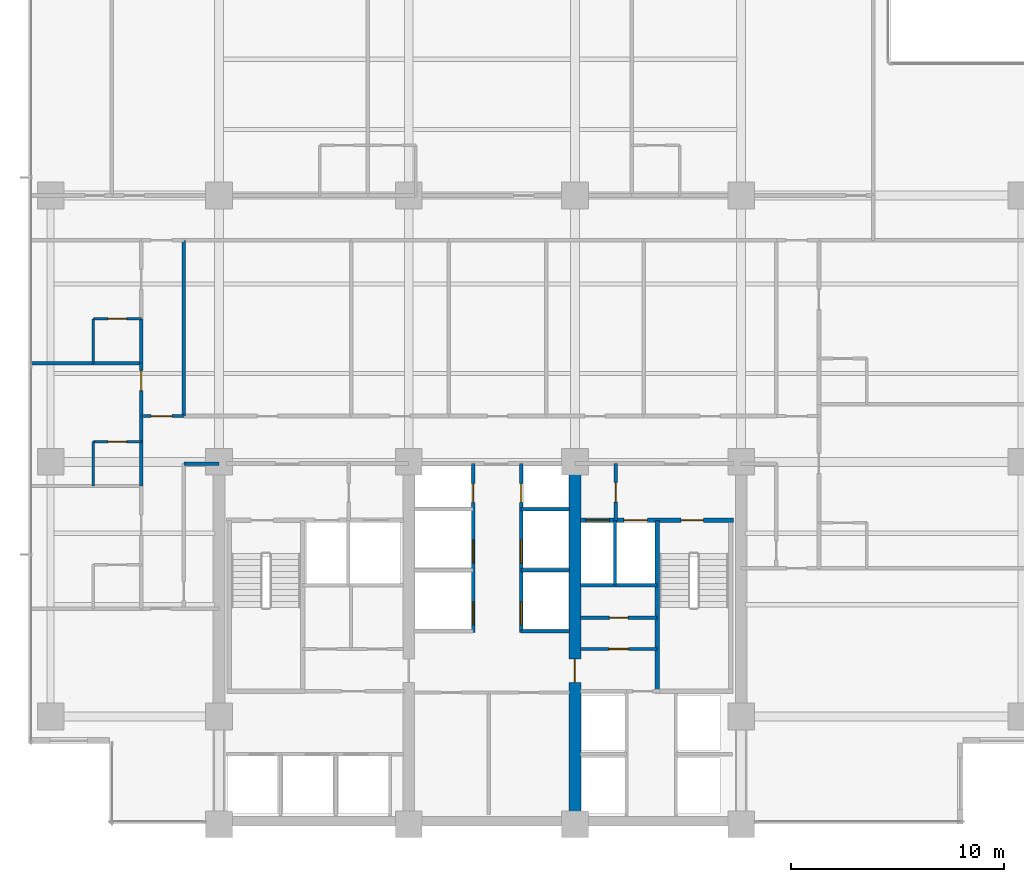
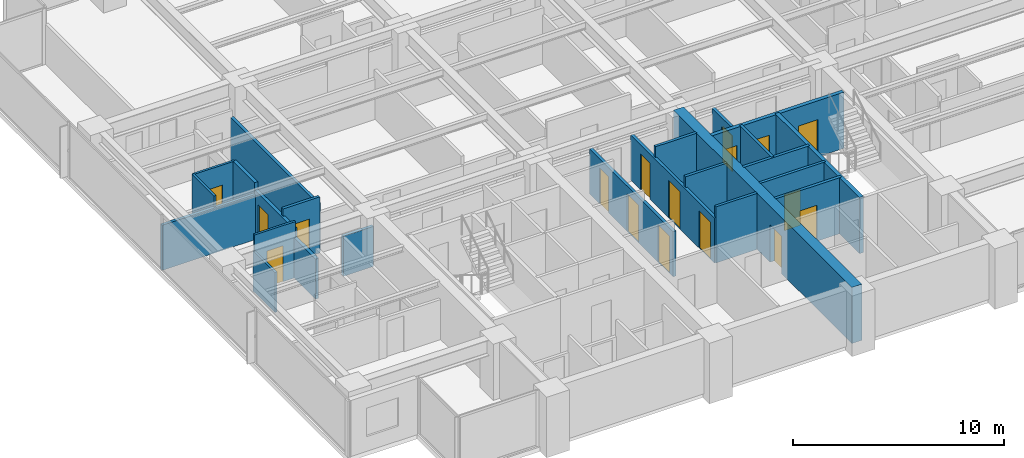
# One storey, part 9 of 17: 24 walls, 17 doors, 17 openings.
"""IFC4 building model written with IfcOpenShell, lengths in metres."""

import ifcopenshell
import ifcopenshell.guid

model = None  # the IFC model being written
_history = None  # IfcOwnerHistory: only IFC2X3 demands one
_inside = {}  # id of a spatial element -> (the spatial element, [elements in it])
_under = {}  # id of a project, library or spatial element -> (it, [spatial elements below it])
_declared = {}  # id of a project -> (the project, [libraries it declares])
_typed = {}  # id of a type object -> (the type object, [elements of that type])
_made_of = {}  # id of a material, layer set ... -> (it, [elements and type objects made of it])


def new_model(schema):
    """Start an empty IFC model of exactly this schema.

    Asked for "IFC4X3", IfcOpenShell would pick the latest addendum, in which some entities
    have other attributes; the version numbers below select the first issue.
    IFC2X3 requires an IfcOwnerHistory on every rooted entity: one is made here for all.
    """
    global model, _history
    if schema == "IFC4X3":
        model = ifcopenshell.file(schema_version=(4, 3, 0, 0))
    else:
        model = ifcopenshell.file(schema=schema)
    _inside.clear()
    _under.clear()
    _declared.clear()
    _typed.clear()
    _made_of.clear()
    _history = None
    if model.schema == "IFC2X3":
        org = make("IfcOrganization", Name="unknown")
        user = make(
            "IfcPersonAndOrganization",
            ThePerson=make("IfcPerson", FamilyName="unknown"),
            TheOrganization=org,
        )
        app = make(
            "IfcApplication",
            ApplicationDeveloper=org,
            Version="unknown",
            ApplicationFullName="unknown",
            ApplicationIdentifier="unknown",
        )
        _history = make(
            "IfcOwnerHistory",
            OwningUser=user,
            OwningApplication=app,
            ChangeAction="ADDED",
            CreationDate=0,
        )
    return model


def make(cls, **values):
    """One entity of the class cls with the attributes given. An attribute that is None is left unset."""
    return model.create_entity(
        cls, **{name: value for name, value in values.items() if value is not None}
    )


def rooted(cls, **values):
    """An entity with a GlobalId (a new one), such as an element, a storey or a relation."""
    return make(cls, GlobalId=ifcopenshell.guid.new(), OwnerHistory=_history, **values)


def si_unit(unit_type, name, prefix=None):
    """IfcSIUnit, for example si_unit("LENGTHUNIT", "METRE", prefix="MILLI")."""
    return make("IfcSIUnit", UnitType=unit_type, Prefix=prefix, Name=name)


def assignment(units):
    """IfcUnitAssignment: the units of a project."""
    return None if units is None else make("IfcUnitAssignment", Units=units)


def point(xyz):
    """IfcCartesianPoint."""
    return None if xyz is None else make("IfcCartesianPoint", Coordinates=xyz)


def direction(xyz):
    """IfcDirection."""
    return None if xyz is None else make("IfcDirection", DirectionRatios=xyz)


def frame(location, z_axis=None, x_axis=None):
    """IfcAxis2Placement3D, a coordinate frame: its origin and axes. An axis left out is left unset."""
    return make(
        "IfcAxis2Placement3D",
        Location=point(location),
        Axis=direction(z_axis),
        RefDirection=direction(x_axis),
    )


def frame_2d(location, x_axis=None):
    """IfcAxis2Placement2D, a coordinate frame in the plane: its origin and x axis."""
    return make(
        "IfcAxis2Placement2D", Location=point(location), RefDirection=direction(x_axis)
    )


def origin():
    """The frame at (0, 0, 0) with its axes left unset."""
    return frame((0.0, 0.0, 0.0))


def place(relative_to, where):
    """IfcLocalPlacement: puts the frame where relative to a parent placement (None: the world)."""
    return make(
        "IfcLocalPlacement", PlacementRelTo=relative_to, RelativePlacement=where
    )


def context(
    kind, dimensions, precision=None, world=None, true_north=None, identifier=None
):
    """IfcGeometricRepresentationContext, for example the 3D "Model" context."""
    return make(
        "IfcGeometricRepresentationContext",
        ContextIdentifier=identifier,
        ContextType=kind,
        CoordinateSpaceDimension=dimensions,
        Precision=precision,
        WorldCoordinateSystem=world,
        TrueNorth=true_north,
    )


def subcontext(parent, identifier, kind, view, scale=None):
    """IfcGeometricRepresentationSubContext, for example "Body" below "Model"."""
    return make(
        "IfcGeometricRepresentationSubContext",
        ContextIdentifier=identifier,
        ContextType=kind,
        ParentContext=parent,
        TargetScale=scale,
        TargetView=view,
    )


def project(units=None, contexts=None):
    """IfcProject with its units and contexts."""
    return rooted(
        "IfcProject",
        Name="project",
        RepresentationContexts=contexts,
        UnitsInContext=assignment(units),
    )


def spatial(cls, under=None, at=None, **own):
    """A site, building, storey or space (cls), placed at a placement, below another one or the project."""
    s = rooted(cls, ObjectPlacement=at, **own)
    if under is not None:
        _under.setdefault(under.id(), (under, []))[1].append(s)
    return s


def profile(cls, at=None, kind="AREA", **sizes):
    """A parametric profile (cls). Its sizes go by their IFC names, for example OverallWidth=200.0."""
    return make(cls, ProfileType=kind, Position=at, **sizes)


def rectangle(**sizes):
    """IfcRectangleProfileDef."""
    return profile("IfcRectangleProfileDef", **sizes)


def extrude(swept, where, along, depth):
    """IfcExtrudedAreaSolid: the profile swept, set in the frame where, extruded along a direction by depth."""
    return make(
        "IfcExtrudedAreaSolid",
        SweptArea=swept,
        Position=where,
        ExtrudedDirection=direction(along),
        Depth=depth,
    )


def shape(context_of_items, identifier, shape_type, items):
    """IfcShapeRepresentation: the items that make up one representation, for example the "Body"."""
    return make(
        "IfcShapeRepresentation",
        ContextOfItems=context_of_items,
        RepresentationIdentifier=identifier,
        RepresentationType=shape_type,
        Items=items,
    )


def material(Name=None, Category=None):
    """IfcMaterial."""
    return make("IfcMaterial", Name=Name, Category=Category)


def layer(
    of_material, thickness, ventilated=None, Name=None, Category=None, Priority=None
):
    """IfcMaterialLayer: one layer of a wall or slab, of a material (None: an air gap)."""
    return make(
        "IfcMaterialLayer",
        Material=of_material,
        LayerThickness=thickness,
        IsVentilated=ventilated,
        Name=Name,
        Category=Category,
        Priority=Priority,
    )


def layer_set(layers, Name=None):
    """IfcMaterialLayerSet."""
    return make("IfcMaterialLayerSet", MaterialLayers=layers, LayerSetName=Name)


def made_of(thing, what):
    """Note that an element or type object is made of a material, layer set ...; save() writes the relation."""
    if what is not None:
        _made_of.setdefault(what.id(), (what, []))[1].append(thing)
    return thing


def type_object(cls, material=None, **own):
    """A type object (cls), such as IfcWallType, which elements share."""
    return made_of(rooted(cls, **own), material)


def element(
    cls,
    number,
    at=None,
    inside=None,
    cuts=None,
    type_object=None,
    material=None,
    context=None,
    identifier="Body",
    shape_type=None,
    held_by="IfcProductDefinitionShape",
    body=None,
    shapes=None,
    **own,
):
    """One element of the class cls, such as IfcWall. Its Tag is "e" and its number.

    at: its placement. inside: the storey or other place that contains it. cuts: it is an
    opening in that element (IfcRelVoidsElement). A single representation is given by context,
    identifier, shape_type and body (its items); several are given by shapes. held_by: the class
    of the entity that holds the representations. save() writes the other relations.
    """
    e = rooted(cls, Tag="e%d" % number, ObjectPlacement=at, **own)
    if body is not None:
        shapes = [shape(context, identifier, shape_type, body)]
    if shapes is not None:
        e.Representation = make(held_by, Representations=shapes)
    if inside is not None:
        _inside.setdefault(inside.id(), (inside, []))[1].append(e)
    if cuts is not None:
        rooted(
            "IfcRelVoidsElement", RelatingBuildingElement=cuts, RelatedOpeningElement=e
        )
    if type_object is not None:
        _typed.setdefault(type_object.id(), (type_object, []))[1].append(e)
    return made_of(e, material)


def fill(opening, filler):
    """IfcRelFillsElement: the door or window that sits in an opening."""
    return rooted(
        "IfcRelFillsElement",
        RelatingOpeningElement=opening,
        RelatedBuildingElement=filler,
    )


def aggregate(whole, parts):
    """IfcRelAggregates: a whole, such as a stair, and the parts it consists of."""
    return rooted("IfcRelAggregates", RelatingObject=whole, RelatedObjects=parts)


def save(model, path):
    """Write the relations noted so far, then the file.

    IfcRelAggregates (storeys below a building ...), IfcRelContainedInSpatialStructure (elements
    in a storey), IfcRelDefinesByType, IfcRelAssociatesMaterial and IfcRelDeclares: one each for
    every whole, place, type object, material and project.
    """
    for whole, parts in _under.values():
        aggregate(whole, parts)
    for where, things in _inside.values():
        rooted(
            "IfcRelContainedInSpatialStructure",
            RelatedElements=things,
            RelatingStructure=where,
        )
    for kind, things in _typed.values():
        rooted("IfcRelDefinesByType", RelatedObjects=things, RelatingType=kind)
    for what, things in _made_of.values():
        rooted("IfcRelAssociatesMaterial", RelatedObjects=things, RelatingMaterial=what)
    for by, libraries in _declared.values():
        rooted("IfcRelDeclares", RelatingContext=by, RelatedDefinitions=libraries)
    model.write(path)


model = new_model("IFC4")

# Units and contexts
model_context = context("Model", 3, precision=1e-05, world=origin(), true_north=direction((0.0, 1.0)))
body_context = subcontext(model_context, "Body", "Model", "MODEL_VIEW")
ifc_project = project(units=[si_unit("LENGTHUNIT", "METRE"), si_unit("AREAUNIT", "SQUARE_METRE"), si_unit("VOLUMEUNIT", "CUBIC_METRE"), si_unit("PLANEANGLEUNIT", "RADIAN"), si_unit("MASSUNIT", "GRAM", prefix="KILO")], contexts=[model_context])

# Site, building, storey
site_placement = place(None, origin())
site = spatial("IfcSite", under=ifc_project, at=site_placement, CompositionType="ELEMENT")
building_placement = place(site_placement, origin())
building = spatial("IfcBuilding", under=site, at=building_placement, Name="Qalmaran Belvedere Hotel", CompositionType="ELEMENT")
storey_placement = place(building_placement, frame((0.0, 0.0, 112.699951171875)))
storey = spatial("IfcBuildingStorey", under=building, at=storey_placement, Name="L28", CompositionType="ELEMENT", Elevation=112.699951171875)

# Wall, opening, door
ifc_material_1 = material(Name="Concrete C60/75", Category="concrete")
ifc_layer_1 = layer(ifc_material_1, 0.550048828125, Name="Concrete C60/75")
ifc_layer_set_1 = layer_set([ifc_layer_1], Name="Concrete C60/75")
wall_type_1 = type_object("IfcWallType", Name="WL-CORE-550-C60", PredefinedType="SHEAR", material=ifc_layer_set_1)
wall_1_placement = place(storey_placement, frame((37.0, 3.5, 0.0), z_axis=(0.0, 0.0, 1.0), x_axis=(0.0, 1.0, 0.0)))
wall_1 = element("IfcWall", 1, at=wall_1_placement, inside=storey, type_object=wall_type_1, Name="L28 Core East Spine Shear Wall", PredefinedType="SHEAR", context=body_context, shape_type="SweptSolid", body=[
    extrude(rectangle(XDim=16.89990234375, YDim=0.550048828125, at=frame_2d((8.449951171875, 0.0))), origin(), (0.0, 0.0, 1.0), 3.239990234375),
])
opening_1_placement = place(wall_1_placement, frame((6.64990234375, 0.0, 0.0)))
opening_1 = element("IfcOpeningElement", 2, at=opening_1_placement, cuts=wall_1, Name="Opening FD90", PredefinedType="OPENING", context=body_context, shape_type="SweptSolid", body=[
    extrude(rectangle(XDim=1.10009765625, YDim=2.14990234375, at=frame_2d((0.550048828125, 1.074951171875))), frame((0.0, 0.28515625, 0.0), z_axis=(0.0, -1.0, 0.0), x_axis=(1.0, 0.0, 0.0)), (0.0, 0.0, 1.0), 0.570068359375),
])
ifc_material_2 = material(Name="Steel S355JR", Category="steel")
door_type_1 = type_object("IfcDoorType", Name="DR-FD90-1100X2150", OperationType="NOTDEFINED", PredefinedType="DOOR", material=ifc_material_2)
door_1_placement = place(opening_1_placement, origin())
door_1 = element("IfcDoor", 3, at=door_1_placement, inside=storey, type_object=door_type_1, Name="L28 Core East Cross-Lobby Door", OperationType="SINGLE_SWING_LEFT", OverallHeight=2.14990234375, OverallWidth=1.10009765625, PredefinedType="DOOR", context=body_context, shape_type="SweptSolid", body=[
    extrude(rectangle(XDim=1.10009765625, YDim=2.14990234375, at=frame_2d((0.550048828125, 1.074951171875))), frame((0.0, 0.02490234375, 0.0), z_axis=(0.0, -1.0, 0.0), x_axis=(1.0, 0.0, 0.0)), (0.0, 0.0, 1.0), 0.050048828125),
])
fill(opening_1, door_1)

ifc_material_3 = material(Name="Moisture-Resistant Gypsum")
ifc_layer_2 = layer(ifc_material_3, 0.1201171875, Name="Moisture-Resistant Gypsum")
ifc_layer_set_2 = layer_set([ifc_layer_2], Name="Moisture-Resistant Gypsum")
wall_type_2 = type_object("IfcWallType", Name="WL-INT-120-BATH", PredefinedType="PARTITIONING", material=ifc_layer_set_2)
wall_2_placement = place(storey_placement, frame((14.39990234375, 21.44677734375, 0.0), z_axis=(0.0, 0.0, 1.0), x_axis=(1.0, 0.0, 0.0)))
wall_2 = element("IfcWall", 4, at=wall_2_placement, inside=storey, type_object=wall_type_2, Name="L28 Partition WL-L28-WBN01", PredefinedType="PARTITIONING", context=body_context, shape_type="SweptSolid", body=[
    extrude(rectangle(XDim=2.25, YDim=0.1201171875, at=frame_2d((1.125, 0.0))), origin(), (0.0, 0.0, 1.0), 3.239990234375),
])
opening_2_placement = place(wall_2_placement, frame((1.56494140625, 0.0, 0.0), z_axis=(0.0, 0.0, 1.0), x_axis=(-1.0, 0.0, 0.0)))
opening_2 = element("IfcOpeningElement", 5, at=opening_2_placement, cuts=wall_2, Name="Opening D-BATH", PredefinedType="OPENING", context=body_context, shape_type="SweptSolid", body=[
    extrude(rectangle(XDim=0.8798828125, YDim=2.080078125, at=frame_2d((0.43994140625, 1.0400390625))), frame((0.0, 0.070068359375, 0.0), z_axis=(0.0, -1.0, 0.0), x_axis=(1.0, 0.0, 0.0)), (0.0, 0.0, 1.0), 0.14013671875),
])
ifc_material_4 = material(Name="Engineered Oak Veneer")
door_type_2 = type_object("IfcDoorType", Name="DR-INT-BATH-880X2080", OperationType="NOTDEFINED", PredefinedType="DOOR", material=ifc_material_4)
door_2_placement = place(opening_2_placement, origin())
door_2 = element("IfcDoor", 6, at=door_2_placement, inside=storey, type_object=door_type_2, Name="L28 W Ensuite Door 02", OperationType="SINGLE_SWING_RIGHT", OverallHeight=2.080078125, OverallWidth=0.8798828125, PredefinedType="DOOR", context=body_context, shape_type="SweptSolid", body=[
    extrude(rectangle(XDim=0.8798828125, YDim=2.080078125, at=frame_2d((0.43994140625, 1.0400390625))), frame((0.0, 0.02490234375, 0.0), z_axis=(0.0, -1.0, 0.0), x_axis=(1.0, 0.0, 0.0)), (0.0, 0.0, 1.0), 0.050048828125),
])
fill(opening_2, door_2)

# Wall
wall_3_placement = place(storey_placement, frame((14.39990234375, 19.36669921875, 0.0), z_axis=(0.0, 0.0, 1.0), x_axis=(0.0, 1.0, 0.0)))
element("IfcWall", 7, at=wall_3_placement, inside=storey, type_object=wall_type_2, Name="L28 Partition WL-L28-WBS01", PredefinedType="PARTITIONING", context=body_context, shape_type="SweptSolid", body=[
    extrude(rectangle(XDim=2.080078125, YDim=0.1201171875, at=frame_2d((1.0400390625, 0.0))), origin(), (0.0, 0.0, 1.0), 2.31298828125),
])

# Wall, opening, door
wall_4_placement = place(storey_placement, frame((14.39990234375, 27.21337890625, 0.0), z_axis=(0.0, 0.0, 1.0), x_axis=(1.0, 0.0, 0.0)))
wall_4 = element("IfcWall", 8, at=wall_4_placement, inside=storey, type_object=wall_type_2, Name="L28 Partition WL-L28-WBN02", PredefinedType="PARTITIONING", context=body_context, shape_type="SweptSolid", body=[
    extrude(rectangle(XDim=2.25, YDim=0.1201171875, at=frame_2d((1.125, 0.0))), origin(), (0.0, 0.0, 1.0), 3.239990234375),
])
opening_3_placement = place(wall_4_placement, frame((1.56494140625, 0.0, 0.0), z_axis=(0.0, 0.0, 1.0), x_axis=(-1.0, 0.0, 0.0)))
opening_3 = element("IfcOpeningElement", 9, at=opening_3_placement, cuts=wall_4, Name="Opening D-BATH", PredefinedType="OPENING", context=body_context, shape_type="SweptSolid", body=[
    extrude(rectangle(XDim=0.8798828125, YDim=2.080078125, at=frame_2d((0.43994140625, 1.0400390625))), frame((0.0, 0.070068359375, 0.0), z_axis=(0.0, -1.0, 0.0), x_axis=(1.0, 0.0, 0.0)), (0.0, 0.0, 1.0), 0.14013671875),
])
door_3_placement = place(opening_3_placement, origin())
door_3 = element("IfcDoor", 10, at=door_3_placement, inside=storey, type_object=door_type_2, Name="L28 W Ensuite Door 03", OperationType="SINGLE_SWING_RIGHT", OverallHeight=2.080078125, OverallWidth=0.8798828125, PredefinedType="DOOR", context=body_context, shape_type="SweptSolid", body=[
    extrude(rectangle(XDim=0.8798828125, YDim=2.080078125, at=frame_2d((0.43994140625, 1.0400390625))), frame((0.0, 0.02490234375, 0.0), z_axis=(0.0, -1.0, 0.0), x_axis=(1.0, 0.0, 0.0)), (0.0, 0.0, 1.0), 0.050048828125),
])
fill(opening_3, door_3)

# Walls
wall_5_placement = place(storey_placement, frame((14.39990234375, 25.13330078125, 0.0), z_axis=(0.0, 0.0, 1.0), x_axis=(0.0, 1.0, 0.0)))
element("IfcWall", 11, at=wall_5_placement, inside=storey, type_object=wall_type_2, Name="L28 Partition WL-L28-WBS02", PredefinedType="PARTITIONING", context=body_context, shape_type="SweptSolid", body=[
    extrude(rectangle(XDim=2.080078125, YDim=0.1201171875, at=frame_2d((1.0400390625, 0.0))), origin(), (0.0, 0.0, 1.0), 3.239990234375),
])
ifc_material_5 = material(Name="Gypsum Stud Partition")
ifc_layer_3 = layer(ifc_material_5, 0.14990234375, Name="Gypsum Stud Partition")
ifc_layer_set_3 = layer_set([ifc_layer_3], Name="Gypsum Stud Partition")
wall_type_3 = type_object("IfcWallType", Name="WL-INT-150-EI120", PredefinedType="PARTITIONING", material=ifc_layer_set_3)
wall_6_placement = place(storey_placement, frame((38.8798828125, 14.719970703125, 0.0), z_axis=(0.0, 0.0, 1.0), x_axis=(0.0, 1.0, 0.0)))
element("IfcWall", 12, at=wall_6_placement, inside=storey, type_object=wall_type_3, Name="L28 Partition WL-FF2M-L28", PredefinedType="PARTITIONING", context=body_context, shape_type="SweptSolid", body=[
    extrude(rectangle(XDim=3.0400390625, YDim=0.14990234375, at=frame_2d((1.52001953125, 0.0))), origin(), (0.0, 0.0, 1.0), 3.239990234375),
])
for number, where, z_axis, x_axis, name in (
    (13, (34.47998046875, 12.550048828125, 0.0), (0.0, 0.0, 1.0), (1.0, 0.0, 0.0), "L28 Partition WL-PME-L28-125"),
    (14, (34.47998046875, 15.419921875, 0.0), (0.0, 0.0, 1.0), (1.0, 0.0, 0.0), "L28 Partition WL-PME-L28-154"),
    (15, (34.47998046875, 18.280029296875, 0.0), (0.0, 0.0, 1.0), (1.0, 0.0, 0.0), "L28 Partition WL-PME-L28-182"),
):
    element("IfcWall", number, at=place(storey_placement, frame(where, z_axis=z_axis, x_axis=x_axis)), inside=storey, type_object=wall_type_3, Name=name, PredefinedType="PARTITIONING", context=body_context, shape_type="SweptSolid", body=[
        extrude(rectangle(XDim=2.27001953125, YDim=0.14990234375, at=frame_2d((1.135009765625, 0.0))), origin(), (0.0, 0.0, 1.0), 3.239990234375),
    ])

# Wall, opening, door
ifc_layer_4 = layer(ifc_material_5, 0.14990234375, Name="Gypsum Stud Partition")
ifc_layer_set_4 = layer_set([ifc_layer_4], Name="Gypsum Stud Partition")
wall_type_4 = type_object("IfcWallType", Name="WL-INT-150-EI60", PredefinedType="PARTITIONING", material=ifc_layer_set_4)
wall_7_placement = place(storey_placement, frame((37.25, 13.18505859375, 0.0), z_axis=(0.0, 0.0, 1.0), x_axis=(1.0, 0.0, 0.0)))
wall_7 = element("IfcWall", 16, at=wall_7_placement, inside=storey, type_object=wall_type_4, Name="L28 Partition WL-L28-KEHM", PredefinedType="PARTITIONING", context=body_context, shape_type="SweptSolid", body=[
    extrude(rectangle(XDim=3.610107421875, YDim=0.14990234375, at=frame_2d((1.80517578125, 0.0))), origin(), (0.0, 0.0, 1.0), 3.239990234375),
])
opening_4_placement = place(wall_7_placement, frame((1.364990234375, 0.0, 0.0)))
opening_4 = element("IfcOpeningElement", 17, at=opening_4_placement, cuts=wall_7, Name="Opening FD60B", PredefinedType="OPENING", context=body_context, shape_type="SweptSolid", body=[
    extrude(rectangle(XDim=0.8798828125, YDim=2.080078125, at=frame_2d((0.43994140625, 1.0400390625))), frame((0.0, 0.0849609375, 0.0), z_axis=(0.0, -1.0, 0.0), x_axis=(1.0, 0.0, 0.0)), (0.0, 0.0, 1.0), 0.169921875),
])
door_type_3 = type_object("IfcDoorType", Name="DR-FD60B-880X2080", OperationType="NOTDEFINED", PredefinedType="DOOR", material=ifc_material_2)
door_4_placement = place(opening_4_placement, origin())
door_4 = element("IfcDoor", 18, at=door_4_placement, inside=storey, type_object=door_type_3, Name="L28 Hotel Linen Closet Door", OperationType="SINGLE_SWING_RIGHT", OverallHeight=2.080078125, OverallWidth=0.8798828125, PredefinedType="DOOR", context=body_context, shape_type="SweptSolid", body=[
    extrude(rectangle(XDim=0.8798828125, YDim=2.080078125, at=frame_2d((0.43994140625, 1.0400390625))), frame((0.0, 0.02490234375, 0.0), z_axis=(0.0, -1.0, 0.0), x_axis=(1.0, 0.0, 0.0)), (0.0, 0.0, 1.0), 0.050048828125),
])
fill(opening_4, door_4)

wall_8_placement = place(storey_placement, frame((16.64990234375, 22.64990234375, 0.0), z_axis=(0.0, 0.0, 1.0), x_axis=(1.0, 0.0, 0.0)))
wall_8 = element("IfcWall", 19, at=wall_8_placement, inside=storey, type_object=wall_type_4, Name="L28 Partition WL-L28-XCW1", PredefinedType="PARTITIONING", context=body_context, shape_type="SweptSolid", body=[
    extrude(rectangle(XDim=2.0, YDim=0.14990234375, at=frame_2d((1.0, 0.0))), origin(), (0.0, 0.0, 1.0), 3.239990234375),
])
opening_5_placement = place(wall_8_placement, frame((0.449951171875, 0.0, 0.0)))
opening_5 = element("IfcOpeningElement", 20, at=opening_5_placement, cuts=wall_8, Name="Opening FD90B", PredefinedType="OPENING", context=body_context, shape_type="SweptSolid", body=[
    extrude(rectangle(XDim=1.0, YDim=2.14990234375, at=frame_2d((0.5, 1.074951171875))), frame((0.0, 0.0849609375, 0.0), z_axis=(0.0, -1.0, 0.0), x_axis=(1.0, 0.0, 0.0)), (0.0, 0.0, 1.0), 0.169921875),
])
door_type_4 = type_object("IfcDoorType", Name="DR-FD90B-1000X2150", OperationType="NOTDEFINED", PredefinedType="DOOR", material=ifc_material_2)
door_5_placement = place(opening_5_placement, origin())
door_5 = element("IfcDoor", 21, at=door_5_placement, inside=storey, type_object=door_type_4, Name="L28 West Corridor Smoke Door S", OperationType="SINGLE_SWING_LEFT", OverallHeight=2.14990234375, OverallWidth=1.0, PredefinedType="DOOR", context=body_context, shape_type="SweptSolid", body=[
    extrude(rectangle(XDim=1.0, YDim=2.14990234375, at=frame_2d((0.5, 1.074951171875))), frame((0.0, 0.02490234375, 0.0), z_axis=(0.0, -1.0, 0.0), x_axis=(1.0, 0.0, 0.0)), (0.0, 0.0, 1.0), 0.050048828125),
])
fill(opening_5, door_5)

ifc_layer_5 = layer(ifc_material_5, 0.159912109375, Name="Gypsum Stud Partition")
ifc_layer_set_5 = layer_set([ifc_layer_5], Name="Gypsum Stud Partition")
wall_type_5 = type_object("IfcWallType", Name="WL-INT-160-EI120", PredefinedType="PARTITIONING", material=ifc_layer_set_5)
wall_9_placement = place(storey_placement, frame((38.919921875, 17.760009765625, 0.0), z_axis=(0.0, 0.0, 1.0), x_axis=(0.0, 1.0, 0.0)))
wall_9 = element("IfcWall", 22, at=wall_9_placement, inside=storey, type_object=wall_type_5, Name="L28 Partition WL-FFSV2-L28", PredefinedType="PARTITIONING", context=body_context, shape_type="SweptSolid", body=[
    extrude(rectangle(XDim=2.659912109375, YDim=0.159912109375, at=frame_2d((1.330078125, 0.0))), origin(), (0.0, 0.0, 1.0), 2.614013671875),
])
opening_6_placement = place(wall_9_placement, frame((1.77001953125, 0.0, 0.0), z_axis=(0.0, 0.0, 1.0), x_axis=(-1.0, 0.0, 0.0)))
opening_6 = element("IfcOpeningElement", 23, at=opening_6_placement, cuts=wall_9, Name="Opening FD60S1", PredefinedType="OPENING", context=body_context, shape_type="SweptSolid", body=[
    extrude(rectangle(XDim=0.919921875, YDim=2.080078125, at=frame_2d((0.4599609375, 1.0400390625))), frame((0.0, 0.08984375, 0.0), z_axis=(0.0, -1.0, 0.0), x_axis=(1.0, 0.0, 0.0)), (0.0, 0.0, 1.0), 0.179931640625),
])
door_type_5 = type_object("IfcDoorType", Name="DR-FD60S-920X2080", OperationType="NOTDEFINED", PredefinedType="DOOR", material=ifc_material_4)
door_6_placement = place(opening_6_placement, origin())
door_6 = element("IfcDoor", 24, at=door_6_placement, inside=storey, type_object=door_type_5, Name="L28 Service Lobby East Door", OperationType="SINGLE_SWING_LEFT", OverallHeight=2.080078125, OverallWidth=0.919921875, PredefinedType="DOOR", context=body_context, shape_type="SweptSolid", body=[
    extrude(rectangle(XDim=0.919921875, YDim=2.080078125, at=frame_2d((0.4599609375, 1.0400390625))), frame((0.0, 0.02490234375, 0.0), z_axis=(0.0, -1.0, 0.0), x_axis=(1.0, 0.0, 0.0)), (0.0, 0.0, 1.0), 0.050048828125),
])
fill(opening_6, door_6)

# Wall
wall_10_placement = place(storey_placement, frame((37.25, 14.719970703125, 0.0), z_axis=(0.0, 0.0, 1.0), x_axis=(1.0, 0.0, 0.0)))
element("IfcWall", 25, at=wall_10_placement, inside=storey, type_object=wall_type_5, Name="L28 Partition WL-FF2S-L28", PredefinedType="PARTITIONING", context=body_context, shape_type="SweptSolid", body=[
    extrude(rectangle(XDim=3.610107421875, YDim=0.159912109375, at=frame_2d((1.80517578125, 0.0))), origin(), (0.0, 0.0, 1.0), 3.239990234375),
])

# Wall, openings, doors
wall_11_placement = place(storey_placement, frame((32.219970703125, 12.5, 0.0), z_axis=(0.0, 0.0, 1.0), x_axis=(0.0, 1.0, 0.0)))
wall_11 = element("IfcWall", 26, at=wall_11_placement, inside=storey, type_object=wall_type_5, Name="L28 Partition WL-CLBWN-L28", PredefinedType="PARTITIONING", context=body_context, shape_type="SweptSolid", body=[
    extrude(rectangle(XDim=7.919921875, YDim=0.159912109375, at=frame_2d((3.9599609375, 0.0))), origin(), (0.0, 0.0, 1.0), 2.614013671875),
])
opening_7_placement = place(wall_11_placement, frame((1.43017578125, 0.0, 0.0), z_axis=(0.0, 0.0, 1.0), x_axis=(-1.0, 0.0, 0.0)))
opening_7 = element("IfcOpeningElement", 27, at=opening_7_placement, cuts=wall_11, Name="Opening LD-P1", PredefinedType="OPENING", context=body_context, shape_type="SweptSolid", body=[
    extrude(rectangle(XDim=1.080078125, YDim=2.159912109375, at=frame_2d((0.5400390625, 1.080078125))), frame((0.0, 0.08984375, 0.0), z_axis=(0.0, -1.0, 0.0), x_axis=(1.0, 0.0, 0.0)), (0.0, 0.0, 1.0), 0.179931640625),
])
opening_8_placement = place(wall_11_placement, frame((4.330078125, 0.0, 0.0), z_axis=(0.0, 0.0, 1.0), x_axis=(-1.0, 0.0, 0.0)))
opening_8 = element("IfcOpeningElement", 28, at=opening_8_placement, cuts=wall_11, Name="Opening LD-P1", PredefinedType="OPENING", context=body_context, shape_type="SweptSolid", body=[
    extrude(rectangle(XDim=1.080078125, YDim=2.159912109375, at=frame_2d((0.5400390625, 1.080078125))), frame((0.0, 0.08984375, 0.0), z_axis=(0.0, -1.0, 0.0), x_axis=(1.0, 0.0, 0.0)), (0.0, 0.0, 1.0), 0.179931640625),
])
opening_9_placement = place(wall_11_placement, frame((6.10009765625, 0.0, 0.0)))
opening_9 = element("IfcOpeningElement", 29, at=opening_9_placement, cuts=wall_11, Name="Opening FD60B", PredefinedType="OPENING", context=body_context, shape_type="SweptSolid", body=[
    extrude(rectangle(XDim=0.8798828125, YDim=2.080078125, at=frame_2d((0.43994140625, 1.0400390625))), frame((0.0, 0.08984375, 0.0), z_axis=(0.0, -1.0, 0.0), x_axis=(1.0, 0.0, 0.0)), (0.0, 0.0, 1.0), 0.179931640625),
])
door_7_placement = place(opening_9_placement, origin())
door_7 = element("IfcDoor", 30, at=door_7_placement, inside=storey, type_object=door_type_3, Name="L28 West Riser Access Door", OperationType="SINGLE_SWING_LEFT", OverallHeight=2.080078125, OverallWidth=0.8798828125, PredefinedType="DOOR", context=body_context, shape_type="SweptSolid", body=[
    extrude(rectangle(XDim=0.8798828125, YDim=2.080078125, at=frame_2d((0.43994140625, 1.0400390625))), frame((0.0, 0.02490234375, 0.0), z_axis=(0.0, -1.0, 0.0), x_axis=(1.0, 0.0, 0.0)), (0.0, 0.0, 1.0), 0.050048828125),
])
fill(opening_9, door_7)
ifc_material_6 = material(Name="Stainless Steel 1.4401", Category="steel")
door_type_6 = type_object("IfcDoorType", Name="DR-LIFT-P1-1080X2160", OperationType="DOUBLE_DOOR_SLIDING", PredefinedType="DOOR", material=ifc_material_6)
door_8_placement = place(opening_7_placement, origin())
door_8 = element("IfcDoor", 31, at=door_8_placement, inside=storey, type_object=door_type_6, Name="L28 PM1 Lift Landing Door", OperationType="DOUBLE_DOOR_SLIDING", OverallHeight=2.159912109375, OverallWidth=1.080078125, PredefinedType="DOOR", context=body_context, shape_type="SweptSolid", body=[
    extrude(rectangle(XDim=1.080078125, YDim=2.159912109375, at=frame_2d((0.5400390625, 1.080078125))), frame((0.0, 0.02490234375, 0.0), z_axis=(0.0, -1.0, 0.0), x_axis=(1.0, 0.0, 0.0)), (0.0, 0.0, 1.0), 0.050048828125),
])
fill(opening_7, door_8)
door_9_placement = place(opening_8_placement, origin())
door_9 = element("IfcDoor", 32, at=door_9_placement, inside=storey, type_object=door_type_6, Name="L28 PM2 Lift Landing Door", OperationType="DOUBLE_DOOR_SLIDING", OverallHeight=2.159912109375, OverallWidth=1.080078125, PredefinedType="DOOR", context=body_context, shape_type="SweptSolid", body=[
    extrude(rectangle(XDim=1.080078125, YDim=2.159912109375, at=frame_2d((0.5400390625, 1.080078125))), frame((0.0, 0.02490234375, 0.0), z_axis=(0.0, -1.0, 0.0), x_axis=(1.0, 0.0, 0.0)), (0.0, 0.0, 1.0), 0.050048828125),
])
fill(opening_8, door_9)

wall_12_placement = place(storey_placement, frame((34.47998046875, 12.5, 0.0), z_axis=(0.0, 0.0, 1.0), x_axis=(0.0, 1.0, 0.0)))
wall_12 = element("IfcWall", 33, at=wall_12_placement, inside=storey, type_object=wall_type_5, Name="L28 Partition WL-CLBEN-L28", PredefinedType="PARTITIONING", context=body_context, shape_type="SweptSolid", body=[
    extrude(rectangle(XDim=7.919921875, YDim=0.159912109375, at=frame_2d((3.9599609375, 0.0))), origin(), (0.0, 0.0, 1.0), 2.614013671875),
])
opening_10_placement = place(wall_12_placement, frame((0.35009765625, 0.0, 0.0)))
opening_10 = element("IfcOpeningElement", 34, at=opening_10_placement, cuts=wall_12, Name="Opening LD-P1", PredefinedType="OPENING", context=body_context, shape_type="SweptSolid", body=[
    extrude(rectangle(XDim=1.080078125, YDim=2.159912109375, at=frame_2d((0.5400390625, 1.080078125))), frame((0.0, 0.08984375, 0.0), z_axis=(0.0, -1.0, 0.0), x_axis=(1.0, 0.0, 0.0)), (0.0, 0.0, 1.0), 0.179931640625),
])
opening_11_placement = place(wall_12_placement, frame((3.25, 0.0, 0.0)))
opening_11 = element("IfcOpeningElement", 35, at=opening_11_placement, cuts=wall_12, Name="Opening LD-P1", PredefinedType="OPENING", context=body_context, shape_type="SweptSolid", body=[
    extrude(rectangle(XDim=1.080078125, YDim=2.159912109375, at=frame_2d((0.5400390625, 1.080078125))), frame((0.0, 0.08984375, 0.0), z_axis=(0.0, -1.0, 0.0), x_axis=(1.0, 0.0, 0.0)), (0.0, 0.0, 1.0), 0.179931640625),
])
opening_12_placement = place(wall_12_placement, frame((6.97998046875, 0.0, 0.0), z_axis=(0.0, 0.0, 1.0), x_axis=(-1.0, 0.0, 0.0)))
opening_12 = element("IfcOpeningElement", 36, at=opening_12_placement, cuts=wall_12, Name="Opening FD60B", PredefinedType="OPENING", context=body_context, shape_type="SweptSolid", body=[
    extrude(rectangle(XDim=0.8798828125, YDim=2.080078125, at=frame_2d((0.43994140625, 1.0400390625))), frame((0.0, 0.08984375, 0.0), z_axis=(0.0, -1.0, 0.0), x_axis=(1.0, 0.0, 0.0)), (0.0, 0.0, 1.0), 0.179931640625),
])
door_10_placement = place(opening_12_placement, origin())
door_10 = element("IfcDoor", 37, at=door_10_placement, inside=storey, type_object=door_type_3, Name="L28 East Riser Access Door", OperationType="SINGLE_SWING_RIGHT", OverallHeight=2.080078125, OverallWidth=0.8798828125, PredefinedType="DOOR", context=body_context, shape_type="SweptSolid", body=[
    extrude(rectangle(XDim=0.8798828125, YDim=2.080078125, at=frame_2d((0.43994140625, 1.0400390625))), frame((0.0, 0.02490234375, 0.0), z_axis=(0.0, -1.0, 0.0), x_axis=(1.0, 0.0, 0.0)), (0.0, 0.0, 1.0), 0.050048828125),
])
fill(opening_12, door_10)
door_11_placement = place(opening_10_placement, origin())
door_11 = element("IfcDoor", 38, at=door_11_placement, inside=storey, type_object=door_type_6, Name="L28 PM3 Lift Landing Door", OperationType="DOUBLE_DOOR_SLIDING", OverallHeight=2.159912109375, OverallWidth=1.080078125, PredefinedType="DOOR", context=body_context, shape_type="SweptSolid", body=[
    extrude(rectangle(XDim=1.080078125, YDim=2.159912109375, at=frame_2d((0.5400390625, 1.080078125))), frame((0.0, 0.02490234375, 0.0), z_axis=(0.0, -1.0, 0.0), x_axis=(1.0, 0.0, 0.0)), (0.0, 0.0, 1.0), 0.050048828125),
])
fill(opening_10, door_11)
door_12_placement = place(opening_11_placement, origin())
door_12 = element("IfcDoor", 39, at=door_12_placement, inside=storey, type_object=door_type_6, Name="L28 PM4 Lift Landing Door", OperationType="DOUBLE_DOOR_SLIDING", OverallHeight=2.159912109375, OverallWidth=1.080078125, PredefinedType="DOOR", context=body_context, shape_type="SweptSolid", body=[
    extrude(rectangle(XDim=1.080078125, YDim=2.159912109375, at=frame_2d((0.5400390625, 1.080078125))), frame((0.0, 0.02490234375, 0.0), z_axis=(0.0, -1.0, 0.0), x_axis=(1.0, 0.0, 0.0)), (0.0, 0.0, 1.0), 0.050048828125),
])
fill(opening_11, door_12)

# Wall, opening, door
ifc_layer_6 = layer(ifc_material_5, 0.159912109375, Name="Gypsum Stud Partition")
ifc_layer_set_6 = layer_set([ifc_layer_6], Name="Gypsum Stud Partition")
wall_type_6 = type_object("IfcWallType", Name="WL-INT-160-EI60", PredefinedType="PARTITIONING", material=ifc_layer_set_6)
wall_13_placement = place(storey_placement, frame((37.25, 11.719970703125, 0.0), z_axis=(0.0, 0.0, 1.0), x_axis=(1.0, 0.0, 0.0)))
wall_13 = element("IfcWall", 40, at=wall_13_placement, inside=storey, type_object=wall_type_6, Name="L28 Partition WL-L28-KEE1", PredefinedType="PARTITIONING", context=body_context, shape_type="SweptSolid", body=[
    extrude(rectangle(XDim=3.610107421875, YDim=0.159912109375, at=frame_2d((1.80517578125, 0.0))), origin(), (0.0, 0.0, 1.0), 3.239990234375),
])
opening_13_placement = place(wall_13_placement, frame((1.344970703125, 0.0, 0.0)))
opening_13 = element("IfcOpeningElement", 41, at=opening_13_placement, cuts=wall_13, Name="Opening FD60S1", PredefinedType="OPENING", context=body_context, shape_type="SweptSolid", body=[
    extrude(rectangle(XDim=0.919921875, YDim=2.080078125, at=frame_2d((0.4599609375, 1.0400390625))), frame((0.0, 0.08984375, 0.0), z_axis=(0.0, -1.0, 0.0), x_axis=(1.0, 0.0, 0.0)), (0.0, 0.0, 1.0), 0.179931640625),
])
door_13_placement = place(opening_13_placement, origin())
door_13 = element("IfcDoor", 42, at=door_13_placement, inside=storey, type_object=door_type_5, Name="L28 Low Voltage Switch Room Door", OperationType="SINGLE_SWING_LEFT", OverallHeight=2.080078125, OverallWidth=0.919921875, PredefinedType="DOOR", context=body_context, shape_type="SweptSolid", body=[
    extrude(rectangle(XDim=0.919921875, YDim=2.080078125, at=frame_2d((0.4599609375, 1.0400390625))), frame((0.0, 0.02490234375, 0.0), z_axis=(0.0, -1.0, 0.0), x_axis=(1.0, 0.0, 0.0)), (0.0, 0.0, 1.0), 0.050048828125),
])
fill(opening_13, door_13)

# Walls
wall_14_placement = place(storey_placement, frame((18.64990234375, 20.419921875, 0.0), z_axis=(0.0, 0.0, 1.0), x_axis=(1.0, 0.0, 0.0)))
element("IfcWall", 43, at=wall_14_placement, inside=storey, type_object=wall_type_6, Name="L28 Partition WL-L28-WCLN", PredefinedType="PARTITIONING", context=body_context, shape_type="SweptSolid", body=[
    extrude(rectangle(XDim=1.650146484375, YDim=0.159912109375, at=frame_2d((0.8251953125, 0.0))), origin(), (0.0, 0.0, 1.0), 2.31298828125),
])
wall_15_placement = place(storey_placement, frame((18.64990234375, 22.64990234375, 0.0), z_axis=(0.0, 0.0, 1.0), x_axis=(0.0, 1.0, 0.0)))
element("IfcWall", 44, at=wall_15_placement, inside=storey, type_object=wall_type_6, Name="L28 Partition WL-L28-MIDVL", PredefinedType="PARTITIONING", context=body_context, shape_type="SweptSolid", body=[
    extrude(rectangle(XDim=8.25, YDim=0.159912109375, at=frame_2d((4.125, 0.0))), origin(), (0.0, 0.0, 1.0), 2.818115234375),
])
wall_16_placement = place(storey_placement, frame((11.469970703125, 25.13330078125, 0.0), z_axis=(0.0, 0.0, 1.0), x_axis=(1.0, 0.0, 0.0)))
element("IfcWall", 45, at=wall_16_placement, inside=storey, type_object=wall_type_6, Name="L28 Partition WL-L28-WU01", PredefinedType="PARTITIONING", context=body_context, shape_type="SweptSolid", body=[
    extrude(rectangle(XDim=5.179931640625, YDim=0.159912109375, at=frame_2d((2.58984375, 0.0))), origin(), (0.0, 0.0, 1.0), 2.60302734375),
])
ifc_layer_7 = layer(ifc_material_5, 0.179931640625, Name="Gypsum Stud Partition")
ifc_layer_set_7 = layer_set([ifc_layer_7], Name="Gypsum Stud Partition")
wall_type_7 = type_object("IfcWallType", Name="WL-INT-180-EI60", PredefinedType="PARTITIONING", material=ifc_layer_set_7)
wall_17_placement = place(storey_placement, frame((16.64990234375, 19.36669921875, 0.0), z_axis=(0.0, 0.0, 1.0), x_axis=(0.0, 1.0, 0.0)))
element("IfcWall", 46, at=wall_17_placement, inside=storey, type_object=wall_type_7, Name="L28 Partition WL-L28-WBC01", PredefinedType="PARTITIONING", context=body_context, shape_type="SweptSolid", body=[
    extrude(rectangle(XDim=2.080078125, YDim=0.179931640625, at=frame_2d((1.0400390625, 0.0))), origin(), (0.0, 0.0, 1.0), 2.31298828125),
])

# Wall, opening, door
wall_18_placement = place(storey_placement, frame((16.64990234375, 21.44677734375, 0.0), z_axis=(0.0, 0.0, 1.0), x_axis=(0.0, 1.0, 0.0)))
wall_18 = element("IfcWall", 47, at=wall_18_placement, inside=storey, type_object=wall_type_7, Name="L28 Partition WL-L28-WEC01", PredefinedType="PARTITIONING", context=body_context, shape_type="SweptSolid", body=[
    extrude(rectangle(XDim=3.6865234375, YDim=0.179931640625, at=frame_2d((1.84326171875, 0.0))), origin(), (0.0, 0.0, 1.0), 2.818115234375),
])
opening_14_placement = place(wall_18_placement, frame((2.40185546875, 0.0, 0.0)))
opening_14 = element("IfcOpeningElement", 48, at=opening_14_placement, cuts=wall_18, Name="Opening FD60", PredefinedType="OPENING", context=body_context, shape_type="SweptSolid", body=[
    extrude(rectangle(XDim=0.949951171875, YDim=2.14990234375, at=frame_2d((0.47509765625, 1.074951171875))), frame((0.0, 0.10009765625, 0.0), z_axis=(0.0, -1.0, 0.0), x_axis=(1.0, 0.0, 0.0)), (0.0, 0.0, 1.0), 0.199951171875),
])
door_type_7 = type_object("IfcDoorType", Name="DR-FD60-950X2150", OperationType="NOTDEFINED", PredefinedType="DOOR", material=ifc_material_4)
door_14_placement = place(opening_14_placement, origin())
door_14 = element("IfcDoor", 49, at=door_14_placement, inside=storey, type_object=door_type_7, Name="L28 W Wing Door 02", OperationType="SINGLE_SWING_LEFT", OverallHeight=2.14990234375, OverallWidth=0.949951171875, PredefinedType="DOOR", context=body_context, shape_type="SweptSolid", body=[
    extrude(rectangle(XDim=0.949951171875, YDim=2.14990234375, at=frame_2d((0.47509765625, 1.074951171875))), frame((0.0, 0.02490234375, 0.0), z_axis=(0.0, -1.0, 0.0), x_axis=(1.0, 0.0, 0.0)), (0.0, 0.0, 1.0), 0.050048828125),
])
fill(opening_14, door_14)

# Walls
wall_19_placement = place(storey_placement, frame((16.64990234375, 25.13330078125, 0.0), z_axis=(0.0, 0.0, 1.0), x_axis=(0.0, 1.0, 0.0)))
element("IfcWall", 50, at=wall_19_placement, inside=storey, type_object=wall_type_7, Name="L28 Partition WL-L28-WBC02", PredefinedType="PARTITIONING", context=body_context, shape_type="SweptSolid", body=[
    extrude(rectangle(XDim=2.080078125, YDim=0.179931640625, at=frame_2d((1.0400390625, 0.0))), origin(), (0.0, 0.0, 1.0), 3.239990234375),
])
ifc_material_7 = material(Name="Concrete C50/60", Category="concrete")
ifc_layer_8 = layer(ifc_material_7, 0.2099609375, Name="Concrete C50/60")
ifc_layer_set_8 = layer_set([ifc_layer_8], Name="Concrete C50/60")
wall_type_8 = type_object("IfcWallType", Name="WL-STAIR-210-C50", PredefinedType="SHEAR", material=ifc_layer_set_8)
wall_20_placement = place(storey_placement, frame((40.85498046875, 9.7451171875, 0.0), z_axis=(0.0, 0.0, 1.0), x_axis=(0.0, 1.0, 0.0)))
element("IfcWall", 51, at=wall_20_placement, inside=storey, type_object=wall_type_8, Name="L28 Stair ST-2 West Bearing Wall", PredefinedType="SHEAR", context=body_context, shape_type="SweptSolid", body=[
    extrude(rectangle(XDim=8.009765625, YDim=0.2099609375, at=frame_2d((4.0048828125, 0.0))), origin(), (0.0, 0.0, 1.0), 3.239990234375),
])

# Wall, openings, doors
wall_21_placement = place(storey_placement, frame((37.25, 17.7548828125, 0.0), z_axis=(0.0, 0.0, 1.0), x_axis=(1.0, 0.0, 0.0)))
wall_21 = element("IfcWall", 52, at=wall_21_placement, inside=storey, type_object=wall_type_8, Name="L28 East Lobby and Stair ST-2 North Bearing Wall", PredefinedType="SHEAR", context=body_context, shape_type="SweptSolid", body=[
    extrude(rectangle(XDim=7.199951171875, YDim=0.2099609375, at=frame_2d((3.60009765625, 0.0))), origin(), (0.0, 0.0, 1.0), 3.239990234375),
])
opening_15_placement = place(wall_21_placement, frame((0.25, 0.0, 0.0)))
opening_15 = element("IfcOpeningElement", 53, at=opening_15_placement, cuts=wall_21, Name="Opening LD-SV", PredefinedType="OPENING", context=body_context, shape_type="SweptSolid", body=[
    extrude(rectangle(XDim=1.1201171875, YDim=2.199951171875, at=frame_2d((0.56005859375, 1.10009765625))), frame((0.0, 0.114990234375, 0.0), z_axis=(0.0, -1.0, 0.0), x_axis=(1.0, 0.0, 0.0)), (0.0, 0.0, 1.0), 0.22998046875),
])
opening_16_placement = place(wall_21_placement, frame((2.050048828125, 0.0, 0.0)))
opening_16 = element("IfcOpeningElement", 54, at=opening_16_placement, cuts=wall_21, Name="Opening LD-FF", PredefinedType="OPENING", context=body_context, shape_type="SweptSolid", body=[
    extrude(rectangle(XDim=1.10009765625, YDim=2.179931640625, at=frame_2d((0.550048828125, 1.08984375))), frame((0.0, 0.114990234375, 0.0), z_axis=(0.0, -1.0, 0.0), x_axis=(1.0, 0.0, 0.0)), (0.0, 0.0, 1.0), 0.22998046875),
])
opening_17_placement = place(wall_21_placement, frame((5.780029296875, 0.0, 0.0), z_axis=(0.0, 0.0, 1.0), x_axis=(-1.0, 0.0, 0.0)))
opening_17 = element("IfcOpeningElement", 55, at=opening_17_placement, cuts=wall_21, Name="Opening FD90S2", PredefinedType="OPENING", context=body_context, shape_type="SweptSolid", body=[
    extrude(rectangle(XDim=1.050048828125, YDim=2.14990234375, at=frame_2d((0.52490234375, 1.074951171875))), frame((0.0, 0.114990234375, 0.0), z_axis=(0.0, -1.0, 0.0), x_axis=(1.0, 0.0, 0.0)), (0.0, 0.0, 1.0), 0.22998046875),
])
door_type_8 = type_object("IfcDoorType", Name="DR-FD90S-1050X2150", OperationType="NOTDEFINED", PredefinedType="DOOR", material=ifc_material_2)
door_15_placement = place(opening_17_placement, origin())
door_15 = element("IfcDoor", 56, at=door_15_placement, inside=storey, type_object=door_type_8, Name="L28 Stair ST-2 Door", OperationType="SINGLE_SWING_LEFT", OverallHeight=2.14990234375, OverallWidth=1.050048828125, PredefinedType="DOOR", context=body_context, shape_type="SweptSolid", body=[
    extrude(rectangle(XDim=1.050048828125, YDim=2.14990234375, at=frame_2d((0.52490234375, 1.074951171875))), frame((0.0, 0.02490234375, 0.0), z_axis=(0.0, -1.0, 0.0), x_axis=(1.0, 0.0, 0.0)), (0.0, 0.0, 1.0), 0.050048828125),
])
fill(opening_17, door_15)
door_type_9 = type_object("IfcDoorType", Name="DR-LIFT-FF-1100X2180", OperationType="DOUBLE_DOOR_SLIDING", PredefinedType="DOOR", material=ifc_material_6)
door_16_placement = place(opening_16_placement, origin())
door_16 = element("IfcDoor", 57, at=door_16_placement, inside=storey, type_object=door_type_9, Name="L28 FF2 Lift Landing Door", OperationType="DOUBLE_DOOR_SLIDING", OverallHeight=2.179931640625, OverallWidth=1.10009765625, PredefinedType="DOOR", context=body_context, shape_type="SweptSolid", body=[
    extrude(rectangle(XDim=1.10009765625, YDim=2.179931640625, at=frame_2d((0.550048828125, 1.08984375))), frame((0.0, 0.02490234375, 0.0), z_axis=(0.0, -1.0, 0.0), x_axis=(1.0, 0.0, 0.0)), (0.0, 0.0, 1.0), 0.050048828125),
])
fill(opening_16, door_16)
door_type_10 = type_object("IfcDoorType", Name="DR-LIFT-SV-1120X2200", OperationType="DOUBLE_DOOR_SLIDING", PredefinedType="DOOR", material=ifc_material_6)
door_17_placement = place(opening_15_placement, origin())
door_17 = element("IfcDoor", 58, at=door_17_placement, inside=storey, type_object=door_type_10, Name="L28 SV2 Lift Landing Door", OperationType="DOUBLE_DOOR_SLIDING", OverallHeight=2.199951171875, OverallWidth=1.1201171875, PredefinedType="DOOR", context=body_context, shape_type="SweptSolid", body=[
    extrude(rectangle(XDim=1.1201171875, YDim=2.199951171875, at=frame_2d((0.56005859375, 1.10009765625))), frame((0.0, 0.02490234375, 0.0), z_axis=(0.0, -1.0, 0.0), x_axis=(1.0, 0.0, 0.0)), (0.0, 0.0, 1.0), 0.050048828125),
])
fill(opening_15, door_17)

save(model, "model.ifc")
